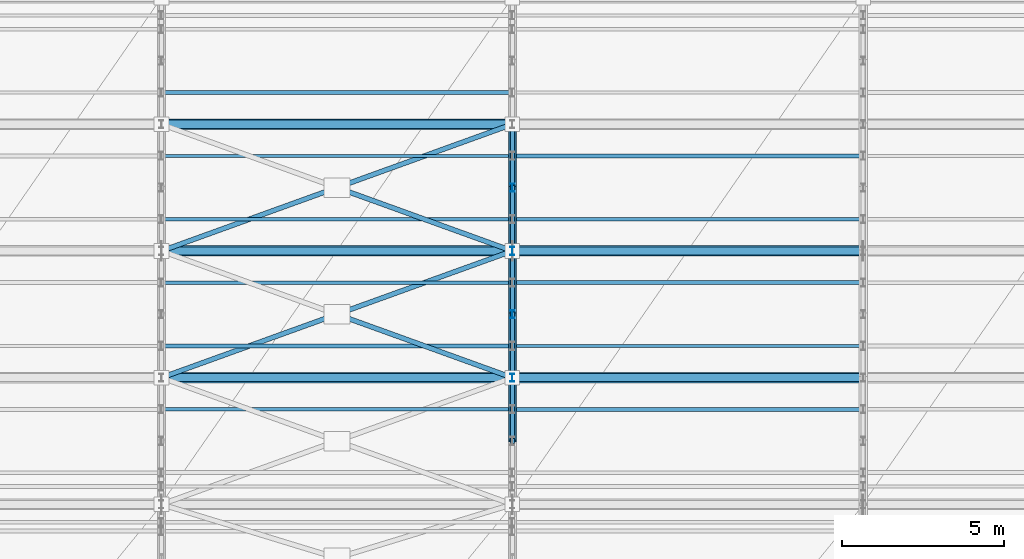
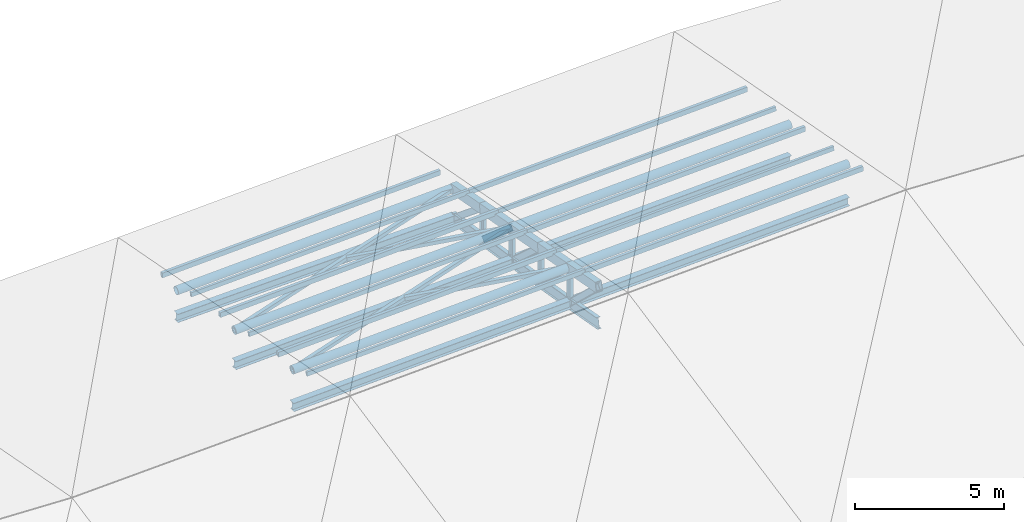
# One storey, part 34 of 89: 34 members, 10 beams.
"""IFC4 building model written with IfcOpenShell, lengths in metres."""

from ifc_helpers import new_model, si_unit, direction, frame, origin, origin_2d, place, context, subcontext, project, spatial, hollow_rectangle, hollow_circle, i_section, extrude, material, material_profile, profile_set, type_object, element, save


model = new_model("IFC4")

# Units and contexts
model_context = context("Model", 3, precision=1e-05, world=origin(), true_north=direction((0.0, 1.0)))
body_context = subcontext(model_context, "Body", "Model", "MODEL_VIEW")
ifc_project = project(units=[si_unit("LENGTHUNIT", "METRE"), si_unit("AREAUNIT", "SQUARE_METRE"), si_unit("VOLUMEUNIT", "CUBIC_METRE"), si_unit("PLANEANGLEUNIT", "RADIAN"), si_unit("MASSUNIT", "GRAM", prefix="KILO")], contexts=[model_context])

# Site, building, storey
site_placement = place(None, origin())
site = spatial("IfcSite", under=ifc_project, at=site_placement, CompositionType="ELEMENT")
building_placement = place(site_placement, origin())
building = spatial("IfcBuilding", under=site, at=building_placement, Name="Suirenkawa Promenade Aquatics Centre", CompositionType="ELEMENT")
storey_placement = place(building_placement, frame((0.0, 0.0, 9.60009765625)))
storey = spatial("IfcBuildingStorey", under=building, at=storey_placement, Name="L02", CompositionType="ELEMENT", Elevation=9.60009765625)

# Beams
ifc_material = material(Name="Steel IS 2062 E350 (Grade 350)", Category="steel")
ifc_material_profile_1 = material_profile(ifc_material, i_section(OverallWidth=0.14990234375, OverallDepth=0.449951171875, WebThickness=0.009033203125, FlangeThickness=0.01708984375, at=origin_2d()), Name="ISMB 450", Category="steel")
ifc_profile_set_1 = profile_set([ifc_material_profile_1], Name="Steel IS 2062 E350 (Grade 350)")
beam_type_1 = type_object("IfcBeamType", Name="BT-STL-ISMB450", PredefinedType="BEAM", material=ifc_profile_set_1)
beam_1_placement = place(storey_placement, frame((133.199951171875, 15.14990234375, 0.122802734375), z_axis=(0.0, 0.98420136357, -0.177052749055), x_axis=(-1.0, 0.0, 0.0)))
element("IfcBeam", 1, at=beam_1_placement, inside=storey, type_object=beam_type_1, Name="ROOF TRUSS V3 bottom chord BM-08 BM-2754", PredefinedType="BEAM", context=body_context, shape_type="SweptSolid", body=[
    extrude(i_section(OverallWidth=0.14990234375, OverallDepth=0.449951171875, WebThickness=0.009033203125, FlangeThickness=0.01708984375, at=origin_2d()), origin(), (0.0, 0.0, 1.0), 1.9814453125),
])
beam_2_placement = place(storey_placement, frame((133.199951171875, 17.10009765625, -0.22802734375), z_axis=(0.0, 0.98589233015, -0.167380743669), x_axis=(-1.0, 0.0, 0.0)))
element("IfcBeam", 2, at=beam_2_placement, inside=storey, type_object=beam_type_1, Name="ROOF TRUSS V3 bottom chord BM-08 BM-2756", PredefinedType="BEAM", context=body_context, shape_type="SweptSolid", body=[
    extrude(i_section(OverallWidth=0.14990234375, OverallDepth=0.449951171875, WebThickness=0.009033203125, FlangeThickness=0.01708984375, at=origin_2d()), origin(), (0.0, 0.0, 1.0), 1.977783203125),
])
beam_3_placement = place(storey_placement, frame((133.199951171875, 19.050048828125, -0.55908203125), z_axis=(0.0, 0.98728433575, -0.158964273917), x_axis=(-1.0, 0.0, 0.0)))
element("IfcBeam", 3, at=beam_3_placement, inside=storey, type_object=beam_type_1, Name="ROOF TRUSS V3 bottom chord BM-08 BM-2758", PredefinedType="BEAM", context=body_context, shape_type="SweptSolid", body=[
    extrude(i_section(OverallWidth=0.14990234375, OverallDepth=0.449951171875, WebThickness=0.009033203125, FlangeThickness=0.01708984375, at=origin_2d()), origin(), (0.0, 0.0, 1.0), 1.97509765625),
])
beam_4_placement = place(storey_placement, frame((133.199951171875, 21.0, -0.873046875), z_axis=(0.0, 0.988441697341, -0.151601487322), x_axis=(-1.0, 0.0, 0.0)))
element("IfcBeam", 4, at=beam_4_placement, inside=storey, type_object=beam_type_1, Name="ROOF TRUSS V3 bottom chord BM-08 BM-2760", PredefinedType="BEAM", context=body_context, shape_type="SweptSolid", body=[
    extrude(i_section(OverallWidth=0.14990234375, OverallDepth=0.449951171875, WebThickness=0.009033203125, FlangeThickness=0.01708984375, at=origin_2d()), origin(), (0.0, 0.0, 1.0), 1.97265625),
])
beam_5_placement = place(storey_placement, frame((133.199951171875, 22.949951171875, -1.172119140625), z_axis=(0.0, 0.989422501766, -0.145062445169), x_axis=(-1.0, 0.0, 0.0)))
element("IfcBeam", 5, at=beam_5_placement, inside=storey, type_object=beam_type_1, Name="ROOF TRUSS V3 bottom chord BM-08 BM-2762", PredefinedType="BEAM", context=body_context, shape_type="SweptSolid", body=[
    extrude(i_section(OverallWidth=0.14990234375, OverallDepth=0.449951171875, WebThickness=0.009033203125, FlangeThickness=0.01708984375, at=origin_2d()), origin(), (0.0, 0.0, 1.0), 1.970703125),
])
ifc_material_profile_2 = material_profile(ifc_material, hollow_rectangle(XDim=0.25, YDim=0.39990234375, WallThickness=0.01611328125, at=origin_2d()), Name="RHS 400x250x16", Category="steel")
ifc_profile_set_2 = profile_set([ifc_material_profile_2], Name="Steel IS 2062 E350 (Grade 350)")
beam_type_2 = type_object("IfcBeamType", Name="BT-TC-RHS400", PredefinedType="BEAM", material=ifc_profile_set_2)
for number, where, z_axis, x_axis, name in (
    (6, (133.199951171875, 15.14990234375, 1.620849609375), (0.0, 0.982665459521, -0.185387687468), (-1.0, 0.0, 0.0), "ROOF TRUSS V3 top chord TC-03 BM-2753"),
    (7, (133.199951171875, 17.10009765625, 1.2529296875), (0.0, 0.98254898431, -0.186004014558), (-1.0, 0.0, 0.0), "ROOF TRUSS V3 top chord TC-03 BM-2755"),
    (8, (133.199951171875, 19.050048828125, 0.8837890625), (0.0, 0.982571460273, -0.185885248087), (-1.0, 0.0, 0.0), "ROOF TRUSS V3 top chord TC-03 BM-2757"),
    (9, (133.199951171875, 21.0, 0.514892578125), (0.0, 0.982571460273, -0.185885248087), (-1.0, 0.0, 0.0), "ROOF TRUSS V3 top chord TC-03 BM-2759"),
):
    element("IfcBeam", number, at=place(storey_placement, frame(where, z_axis=z_axis, x_axis=x_axis)), inside=storey, type_object=beam_type_2, Name=name, PredefinedType="BEAM", context=body_context, shape_type="SweptSolid", body=[
        extrude(hollow_rectangle(XDim=0.25, YDim=0.39990234375, WallThickness=0.01611328125, at=origin_2d()), origin(), (0.0, 0.0, 1.0), 1.984619140625),
    ])
beam_6_placement = place(storey_placement, frame((133.199951171875, 22.949951171875, 0.14599609375), z_axis=(0.0, 0.982638808178, -0.185528899804), x_axis=(-1.0, 0.0, 0.0)))
element("IfcBeam", 10, at=beam_6_placement, inside=storey, type_object=beam_type_2, Name="ROOF TRUSS V3 top chord TC-03 BM-2761", PredefinedType="BEAM", context=body_context, shape_type="SweptSolid", body=[
    extrude(hollow_rectangle(XDim=0.25, YDim=0.39990234375, WallThickness=0.01611328125, at=origin_2d()), origin(), (0.0, 0.0, 1.0), 1.984375),
])

# Members
ifc_material_profile_3 = material_profile(ifc_material, hollow_rectangle(XDim=0.14990234375, YDim=0.14990234375, WallThickness=0.008056640625, at=origin_2d()), Name="SHS 150x150x8", Category="steel")
ifc_profile_set_3 = profile_set([ifc_material_profile_3], Name="Steel IS 2062 E350 (Grade 350)")
member_type_1 = type_object("IfcMemberType", Name="MT-BRACE-SHS150", PredefinedType="BRACE", material=ifc_profile_set_3)
member_1_placement = place(storey_placement, frame((122.39990234375, 17.10009765625, 0.802001953125), z_axis=(0.940263230298, 0.339529462685, -0.024996034063), x_axis=(-0.339635581711, 0.940557107057, 0.0)))
element("IfcMember", 11, at=member_1_placement, inside=storey, type_object=member_type_1, Name="ROOF TRUSS V3 continuous plan brace BF-02 MB-1663", PredefinedType="BRACE", context=body_context, shape_type="SweptSolid", body=[
    extrude(hollow_rectangle(XDim=0.14990234375, YDim=0.14990234375, WallThickness=0.008056640625, at=origin_2d()), origin(), (0.0, 0.0, 1.0), 11.486083984375),
])
member_2_placement = place(storey_placement, frame((133.199951171875, 17.10009765625, 1.2529296875), z_axis=(-0.935560858949, 0.33779968052, -0.103040065232), x_axis=(-0.339607340293, -0.940567304566, 0.0)))
element("IfcMember", 12, at=member_2_placement, inside=storey, type_object=member_type_1, Name="ROOF TRUSS V3 split plan brace A BF-02 MB-1664", PredefinedType="BRACE", context=body_context, shape_type="SweptSolid", body=[
    extrude(hollow_rectangle(XDim=0.14990234375, YDim=0.14990234375, WallThickness=0.008056640625, at=origin_2d()), origin(), (0.0, 0.0, 1.0), 5.6865234375),
])
member_3_placement = place(storey_placement, frame((122.39990234375, 21.0, 0.06494140625), z_axis=(0.940263230298, 0.339529462685, -0.024996034063), x_axis=(-0.339635581711, 0.940557107057, 0.0)))
element("IfcMember", 13, at=member_3_placement, inside=storey, type_object=member_type_1, Name="ROOF TRUSS V3 continuous plan brace BF-02 MB-1666", PredefinedType="BRACE", context=body_context, shape_type="SweptSolid", body=[
    extrude(hollow_rectangle(XDim=0.14990234375, YDim=0.14990234375, WallThickness=0.008056640625, at=origin_2d()), origin(), (0.0, 0.0, 1.0), 11.486083984375),
])
member_4_placement = place(storey_placement, frame((133.199951171875, 21.0, 0.514892578125), z_axis=(-0.935577400739, 0.337805653206, -0.10287015062), x_axis=(-0.339607340293, -0.940567304566, 0.0)))
element("IfcMember", 14, at=member_4_placement, inside=storey, type_object=member_type_1, Name="ROOF TRUSS V3 split plan brace A BF-02 MB-1667", PredefinedType="BRACE", context=body_context, shape_type="SweptSolid", body=[
    extrude(hollow_rectangle(XDim=0.14990234375, YDim=0.14990234375, WallThickness=0.008056640625, at=origin_2d()), origin(), (0.0, 0.0, 1.0), 5.686279296875),
])
ifc_material_profile_4 = material_profile(ifc_material, hollow_circle(Radius=0.162109375, WallThickness=0.013916015625, at=origin_2d()), Name="CHS 324x14", Category="steel")
ifc_profile_set_4 = profile_set([ifc_material_profile_4], Name="Steel IS 2062 E350 (Grade 350)")
member_type_2 = type_object("IfcMemberType", Name="MT-CHORD-CHS324", PredefinedType="CHORD", material=ifc_profile_set_4)
member_5_placement = place(storey_placement, frame((122.39990234375, 17.10009765625, 0.802001953125), z_axis=(0.999129507371, 0.0, 0.041716034092), x_axis=(0.0, 1.0, 0.0)))
element("IfcMember", 15, at=member_5_placement, inside=storey, type_object=member_type_2, Name="ROOF TRUSS V3 tie chord CH-01 MB-1599", PredefinedType="CHORD", context=body_context, shape_type="SweptSolid", body=[
    extrude(hollow_circle(Radius=0.162109375, WallThickness=0.013916015625, at=origin_2d()), origin(), (0.0, 0.0, 1.0), 10.8095703125),
])
for number, where, z_axis, x_axis, name in (
    (16, (133.199951171875, 17.10009765625, 1.2529296875), (0.9991332688, 0.0, 0.041625847467), (0.0, 1.0, 0.0), "ROOF TRUSS V3 tie chord CH-01 MB-1601"),
    (17, (122.39990234375, 21.0, 0.06494140625), (0.9991332688, 0.0, 0.041625847467), (0.0, 1.0, 0.0), "ROOF TRUSS V3 tie chord CH-01 MB-1613"),
    (18, (133.199951171875, 21.0, 0.514892578125), (0.9991332688, 0.0, 0.041625847467), (0.0, 1.0, 0.0), "ROOF TRUSS V3 tie chord CH-01 MB-1615"),
    (19, (122.39990234375, 24.89990234375, -0.672119140625), (0.9991332688, 0.0, 0.041625847467), (0.0, 1.0, 0.0), "ROOF TRUSS V3 tie chord CH-01 MB-1627"),
):
    element("IfcMember", number, at=place(storey_placement, frame(where, z_axis=z_axis, x_axis=x_axis)), inside=storey, type_object=member_type_2, Name=name, PredefinedType="CHORD", context=body_context, shape_type="SweptSolid", body=[
        extrude(hollow_circle(Radius=0.162109375, WallThickness=0.013916015625, at=origin_2d()), origin(), (0.0, 0.0, 1.0), 10.809326171875),
    ])
ifc_material_profile_5 = material_profile(ifc_material, i_section(OverallWidth=0.25, OverallDepth=0.35009765625, WebThickness=0.010009765625, FlangeThickness=0.011962890625, at=origin_2d()), Name="ISHB 350", Category="steel")
ifc_profile_set_5 = profile_set([ifc_material_profile_5], Name="Steel IS 2062 E350 (Grade 350)")
member_type_3 = type_object("IfcMemberType", Name="MT-CHORD-ISHB350", PredefinedType="CHORD", material=ifc_profile_set_5)
member_6_placement = place(storey_placement, frame((122.39990234375, 17.10009765625, -0.67919921875), z_axis=(0.999128565746, 0.0, 0.041738580589), x_axis=(0.0, 1.0, 0.0)))
element("IfcMember", 20, at=member_6_placement, inside=storey, type_object=member_type_3, Name="ROOF TRUSS V3 bottom tie CH-04 MB-1600", PredefinedType="CHORD", context=body_context, shape_type="SweptSolid", body=[
    extrude(i_section(OverallWidth=0.25, OverallDepth=0.35009765625, WebThickness=0.010009765625, FlangeThickness=0.011962890625, at=origin_2d()), origin(), (0.0, 0.0, 1.0), 10.8095703125),
])
for number, where, z_axis, x_axis, name in (
    (21, (133.199951171875, 17.10009765625, -0.22802734375), (0.9991332688, 0.0, 0.041625847467), (0.0, 1.0, 0.0), "ROOF TRUSS V3 bottom tie CH-04 MB-1602"),
    (22, (122.39990234375, 21.0, -1.322998046875), (0.9991332688, 0.0, 0.041625847467), (0.0, 1.0, 0.0), "ROOF TRUSS V3 bottom tie CH-04 MB-1614"),
    (23, (133.199951171875, 21.0, -0.873046875), (0.9991332688, 0.0, 0.041625847467), (0.0, 1.0, 0.0), "ROOF TRUSS V3 bottom tie CH-04 MB-1616"),
):
    element("IfcMember", number, at=place(storey_placement, frame(where, z_axis=z_axis, x_axis=x_axis)), inside=storey, type_object=member_type_3, Name=name, PredefinedType="CHORD", context=body_context, shape_type="SweptSolid", body=[
        extrude(i_section(OverallWidth=0.25, OverallDepth=0.35009765625, WebThickness=0.010009765625, FlangeThickness=0.011962890625, at=origin_2d()), origin(), (0.0, 0.0, 1.0), 10.809326171875),
    ])
member_7_placement = place(storey_placement, frame((122.39990234375, 24.89990234375, -1.75), z_axis=(0.999634722416, 0.0, 0.027026315709), x_axis=(0.0, 1.0, 0.0)))
element("IfcMember", 24, at=member_7_placement, inside=storey, type_object=member_type_3, Name="ROOF TRUSS V3 bottom tie CH-04 MB-1628", PredefinedType="CHORD", context=body_context, shape_type="SweptSolid", body=[
    extrude(i_section(OverallWidth=0.25, OverallDepth=0.35009765625, WebThickness=0.010009765625, FlangeThickness=0.011962890625, at=origin_2d()), origin(), (0.0, 0.0, 1.0), 10.803955078125),
])
ifc_material_profile_6 = material_profile(ifc_material, hollow_rectangle(XDim=0.10009765625, YDim=0.179931640625, WallThickness=0.008056640625, at=origin_2d()), Name="RHS 180x100x8", Category="steel")
ifc_profile_set_6 = profile_set([ifc_material_profile_6], Name="Steel IS 2062 E350 (Grade 350)")
member_type_4 = type_object("IfcMemberType", Name="MT-PURLIN-RHS180", PredefinedType="PURLIN", material=ifc_profile_set_6)
for number, where, z_axis, x_axis, name in (
    (25, (122.39990234375, 16.125, 1.239990234375), (0.9991332688, 0.0, 0.041625847467), (0.0, 1.0, 0.0), "ROOF TRUSS Roof purlin PU-01 MB-2809"),
    (26, (122.39990234375, 20.02490234375, 0.501953125), (0.9991332688, 0.0, 0.041625847467), (0.0, 1.0, 0.0), "ROOF TRUSS Roof purlin PU-01 MB-2813"),
    (27, (122.39990234375, 23.925048828125, -0.235107421875), (0.9991332688, 0.0, 0.041625847467), (0.0, 1.0, 0.0), "ROOF TRUSS Roof purlin PU-01 MB-2817"),
    (28, (133.199951171875, 18.074951171875, 1.32080078125), (0.999132329203, 0.0, 0.041648394219), (0.0, 1.0, 0.0), "ROOF TRUSS Roof purlin PU-01 MB-2851"),
    (29, (133.199951171875, 21.97509765625, 0.583984375), (0.9991332688, 0.0, 0.041625847467), (0.0, 1.0, 0.0), "ROOF TRUSS Roof purlin PU-01 MB-2855"),
):
    element("IfcMember", number, at=place(storey_placement, frame(where, z_axis=z_axis, x_axis=x_axis)), inside=storey, type_object=member_type_4, Name=name, PredefinedType="PURLIN", context=body_context, shape_type="SweptSolid", body=[
        extrude(hollow_rectangle(XDim=0.10009765625, YDim=0.179931640625, WallThickness=0.008056640625, at=origin_2d()), origin(), (0.0, 0.0, 1.0), 10.809326171875),
    ])
ifc_material_profile_7 = material_profile(ifc_material, hollow_rectangle(XDim=0.1201171875, YDim=0.199951171875, WallThickness=0.008056640625, at=origin_2d()), Name="RHS 200x120x8", Category="steel")
ifc_profile_set_7 = profile_set([ifc_material_profile_7], Name="Steel IS 2062 E350 (Grade 350)")
member_type_5 = type_object("IfcMemberType", Name="MT-PURLIN-RHS200", PredefinedType="PURLIN", material=ifc_profile_set_7)
for number, where, z_axis, x_axis, name in (
    (30, (122.39990234375, 18.074951171875, 0.85888671875), (0.9991332688, 0.0, 0.041625847467), (0.0, 1.0, 0.0), "ROOF TRUSS Roof purlin PU-02 MB-2811"),
    (31, (122.39990234375, 21.97509765625, 0.121826171875), (0.999132329203, 0.0, 0.041648394219), (0.0, 1.0, 0.0), "ROOF TRUSS Roof purlin PU-02 MB-2815"),
    (32, (122.39990234375, 25.875, -0.6162109375), (0.999132329203, 0.0, 0.041648394219), (0.0, 1.0, 0.0), "ROOF TRUSS Roof purlin PU-02 MB-2819"),
    (33, (133.199951171875, 16.125, 1.677978515625), (0.9991332688, 0.0, 0.041625847467), (0.0, 1.0, 0.0), "ROOF TRUSS Roof purlin PU-02 MB-2849"),
):
    element("IfcMember", number, at=place(storey_placement, frame(where, z_axis=z_axis, x_axis=x_axis)), inside=storey, type_object=member_type_5, Name=name, PredefinedType="PURLIN", context=body_context, shape_type="SweptSolid", body=[
        extrude(hollow_rectangle(XDim=0.1201171875, YDim=0.199951171875, WallThickness=0.008056640625, at=origin_2d()), origin(), (0.0, 0.0, 1.0), 10.809326171875),
    ])
member_8_placement = place(storey_placement, frame((133.199951171875, 20.02490234375, 0.93994140625), z_axis=(0.999129507371, 0.0, 0.041716034092), x_axis=(0.0, 1.0, 0.0)))
element("IfcMember", 34, at=member_8_placement, inside=storey, type_object=member_type_5, Name="ROOF TRUSS Roof purlin PU-02 MB-2853", PredefinedType="PURLIN", context=body_context, shape_type="SweptSolid", body=[
    extrude(hollow_rectangle(XDim=0.1201171875, YDim=0.199951171875, WallThickness=0.008056640625, at=origin_2d()), origin(), (0.0, 0.0, 1.0), 10.8095703125),
])
member_9_placement = place(storey_placement, frame((133.199951171875, 23.925048828125, 0.202880859375), z_axis=(0.9991332688, 0.0, 0.041625847467), x_axis=(0.0, 1.0, 0.0)))
element("IfcMember", 35, at=member_9_placement, inside=storey, type_object=member_type_5, Name="ROOF TRUSS Roof purlin PU-02 MB-2857", PredefinedType="PURLIN", context=body_context, shape_type="SweptSolid", body=[
    extrude(hollow_rectangle(XDim=0.1201171875, YDim=0.199951171875, WallThickness=0.008056640625, at=origin_2d()), origin(), (0.0, 0.0, 1.0), 10.809326171875),
])
ifc_material_profile_8 = material_profile(ifc_material, i_section(OverallWidth=0.125, OverallDepth=0.25, WebThickness=0.007080078125, FlangeThickness=0.012939453125, at=origin_2d()), Name="ISMB 250", Category="steel")
ifc_profile_set_8 = profile_set([ifc_material_profile_8], Name="Steel IS 2062 E350 (Grade 350)")
member_type_6 = type_object("IfcMemberType", Name="MT-WEB-CHS168", PredefinedType="BRACE", material=ifc_profile_set_8)
member_10_placement = place(storey_placement, frame((133.199951171875, 15.14990234375, 1.620849609375), z_axis=(0.0, 0.725706746717, -0.688004155344), x_axis=(-1.0, 0.0, 0.0)))
element("IfcMember", 36, at=member_10_placement, inside=storey, type_object=member_type_6, Name="ROOF TRUSS V3 web diagonal TD-03 MB-1440", PredefinedType="BRACE", context=body_context, shape_type="SweptSolid", body=[
    extrude(i_section(OverallWidth=0.125, OverallDepth=0.25, WebThickness=0.007080078125, FlangeThickness=0.012939453125, at=origin_2d()), origin(), (0.0, 0.0, 1.0), 2.687255859375),
])
member_11_placement = place(storey_placement, frame((133.199951171875, 17.10009765625, 1.2529296875), z_axis=(0.0, 0.732541911436, -0.680721931474), x_axis=(-1.0, 0.0, 0.0)))
element("IfcMember", 37, at=member_11_placement, inside=storey, type_object=member_type_6, Name="ROOF TRUSS V3 web diagonal TD-03 MB-1441", PredefinedType="BRACE", context=body_context, shape_type="SweptSolid", body=[
    extrude(i_section(OverallWidth=0.125, OverallDepth=0.25, WebThickness=0.007080078125, FlangeThickness=0.012939453125, at=origin_2d()), origin(), (0.0, 0.0, 1.0), 2.661865234375),
])
member_12_placement = place(storey_placement, frame((133.199951171875, 19.050048828125, 0.8837890625), z_axis=(0.0, 0.74293789867, -0.669360350424), x_axis=(-1.0, 0.0, 0.0)))
element("IfcMember", 38, at=member_12_placement, inside=storey, type_object=member_type_6, Name="ROOF TRUSS V3 web diagonal TD-03 MB-1442", PredefinedType="BRACE", context=body_context, shape_type="SweptSolid", body=[
    extrude(i_section(OverallWidth=0.125, OverallDepth=0.25, WebThickness=0.007080078125, FlangeThickness=0.012939453125, at=origin_2d()), origin(), (0.0, 0.0, 1.0), 2.624755859375),
])
member_13_placement = place(storey_placement, frame((133.199951171875, 21.0, 0.514892578125), z_axis=(0.0, 0.756254271499, -0.654277828479), x_axis=(-1.0, 0.0, 0.0)))
element("IfcMember", 39, at=member_13_placement, inside=storey, type_object=member_type_6, Name="ROOF TRUSS V3 web diagonal TD-03 MB-1443", PredefinedType="BRACE", context=body_context, shape_type="SweptSolid", body=[
    extrude(i_section(OverallWidth=0.125, OverallDepth=0.25, WebThickness=0.007080078125, FlangeThickness=0.012939453125, at=origin_2d()), origin(), (0.0, 0.0, 1.0), 2.578369140625),
])
member_14_placement = place(storey_placement, frame((133.199951171875, 22.949951171875, 0.14599609375), z_axis=(0.0, 0.772287379576, -0.635273329637), x_axis=(-1.0, 0.0, 0.0)))
element("IfcMember", 40, at=member_14_placement, inside=storey, type_object=member_type_6, Name="ROOF TRUSS V3 web diagonal TD-03 MB-1444", PredefinedType="BRACE", context=body_context, shape_type="SweptSolid", body=[
    extrude(i_section(OverallWidth=0.125, OverallDepth=0.25, WebThickness=0.007080078125, FlangeThickness=0.012939453125, at=origin_2d()), origin(), (0.0, 0.0, 1.0), 2.52490234375),
])
member_15_placement = place(storey_placement, frame((133.199951171875, 17.10009765625, -0.22802734375), z_axis=(0.0, 0.0, 1.0), x_axis=(1.0, 0.0, 0.0)))
element("IfcMember", 41, at=member_15_placement, inside=storey, type_object=member_type_6, Name="ROOF TRUSS V3 web post TD-03 MB-1456", PredefinedType="BRACE", context=body_context, shape_type="SweptSolid", body=[
    extrude(i_section(OverallWidth=0.125, OverallDepth=0.25, WebThickness=0.007080078125, FlangeThickness=0.012939453125, at=origin_2d()), origin(), (0.0, 0.0, 1.0), 1.48095703125),
])
member_16_placement = place(storey_placement, frame((133.199951171875, 19.050048828125, -0.55908203125), z_axis=(0.0, 0.0, 1.0), x_axis=(1.0, 0.0, 0.0)))
element("IfcMember", 42, at=member_16_placement, inside=storey, type_object=member_type_6, Name="ROOF TRUSS V3 web post TD-03 MB-1457", PredefinedType="BRACE", context=body_context, shape_type="SweptSolid", body=[
    extrude(i_section(OverallWidth=0.125, OverallDepth=0.25, WebThickness=0.007080078125, FlangeThickness=0.012939453125, at=origin_2d()), origin(), (0.0, 0.0, 1.0), 1.44287109375),
])
member_17_placement = place(storey_placement, frame((133.199951171875, 21.0, -0.873046875), z_axis=(0.0, 0.0, 1.0), x_axis=(1.0, 0.0, 0.0)))
element("IfcMember", 43, at=member_17_placement, inside=storey, type_object=member_type_6, Name="ROOF TRUSS V3 web post TD-03 MB-1458", PredefinedType="BRACE", context=body_context, shape_type="SweptSolid", body=[
    extrude(i_section(OverallWidth=0.125, OverallDepth=0.25, WebThickness=0.007080078125, FlangeThickness=0.012939453125, at=origin_2d()), origin(), (0.0, 0.0, 1.0), 1.387939453125),
])
member_18_placement = place(storey_placement, frame((133.199951171875, 22.949951171875, -1.172119140625), z_axis=(0.0, 0.0, 1.0), x_axis=(1.0, 0.0, 0.0)))
element("IfcMember", 44, at=member_18_placement, inside=storey, type_object=member_type_6, Name="ROOF TRUSS V3 web post TD-03 MB-1459", PredefinedType="BRACE", context=body_context, shape_type="SweptSolid", body=[
    extrude(i_section(OverallWidth=0.125, OverallDepth=0.25, WebThickness=0.007080078125, FlangeThickness=0.012939453125, at=origin_2d()), origin(), (0.0, 0.0, 1.0), 1.318115234375),
])

save(model, "model.ifc")
